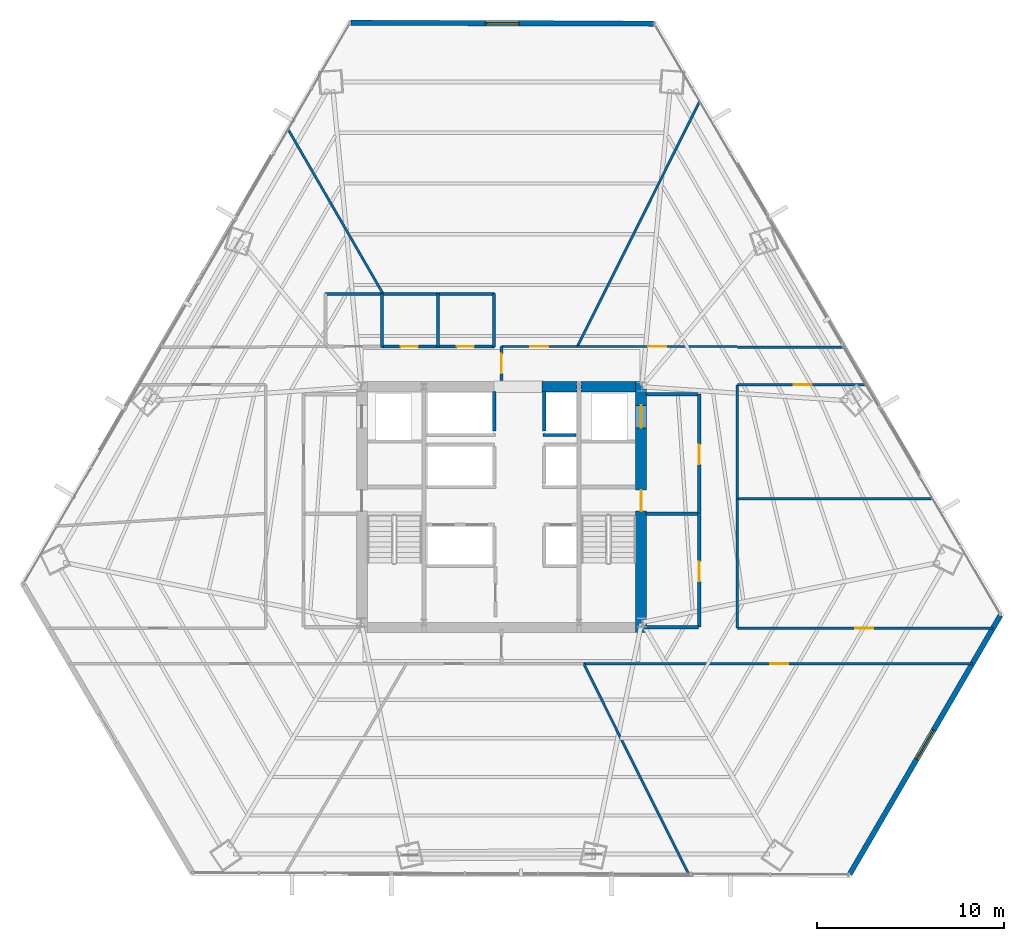
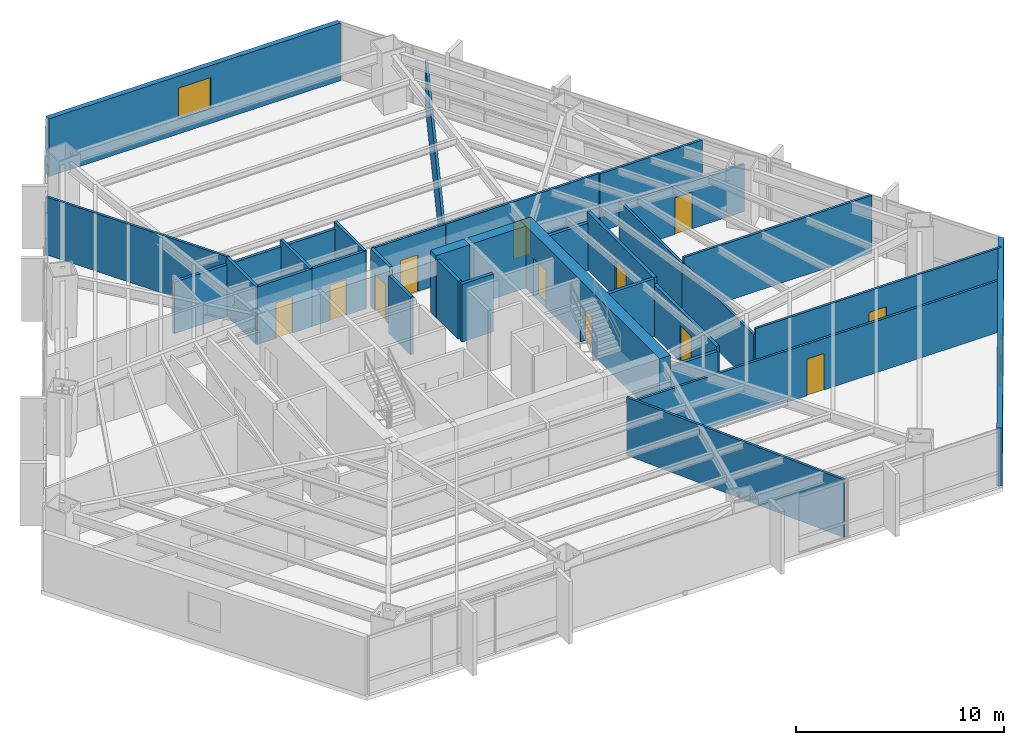
# One storey, part 29 of 33: 34 walls, 12 doors, 2 windows, 14 openings.
"""IFC4 building model written with IfcOpenShell, lengths in metres."""

from ifc_helpers import new_model, si_unit, direction, frame, frame_2d, origin, place, context, subcontext, project, spatial, rectangle, extrude, material, layer, layer_set, type_object, element, fill, save


model = new_model("IFC4")

# Units and contexts
model_context = context("Model", 3, precision=1e-05, world=origin(), true_north=direction((0.0, 1.0)))
body_context = subcontext(model_context, "Body", "Model", "MODEL_VIEW")
ifc_project = project(units=[si_unit("LENGTHUNIT", "METRE"), si_unit("AREAUNIT", "SQUARE_METRE"), si_unit("VOLUMEUNIT", "CUBIC_METRE"), si_unit("PLANEANGLEUNIT", "RADIAN"), si_unit("MASSUNIT", "GRAM", prefix="KILO")], contexts=[model_context])

# Site, building, storey
site_placement = place(None, origin())
site = spatial("IfcSite", under=ifc_project, at=site_placement, CompositionType="ELEMENT")
building_placement = place(site_placement, origin())
building = spatial("IfcBuilding", under=site, at=building_placement, Name="Caelisora Broadcast Tower", CompositionType="ELEMENT")
storey_placement = place(building_placement, frame((0.0, 0.0, 34.89990234375)))
storey = spatial("IfcBuildingStorey", under=building, at=storey_placement, Name="L08", CompositionType="ELEMENT", Elevation=34.89990234375)

# Wall, openings, doors
ifc_material_1 = material(Name="Concrete 65 MPa (AS 3600 S65)", Category="concrete")
ifc_layer_1 = layer(ifc_material_1, 0.60009765625, Name="Concrete 65 MPa (AS 3600 S65)")
ifc_layer_set_1 = layer_set([ifc_layer_1], Name="Concrete 65 MPa (AS 3600 S65)")
wall_type_1 = type_object("IfcWallType", Name="CW1", PredefinedType="SHEAR", material=ifc_layer_set_1)
wall_1_placement = place(storey_placement, frame((45.4599609375, 16.85009765625, 0.0), z_axis=(0.0, 0.0, 1.0), x_axis=(0.0, 1.0, 0.0)))
wall_1 = element("IfcWall", 1, at=wall_1_placement, inside=storey, type_object=wall_type_1, Name="L08 core shear wall CW1", PredefinedType="SHEAR", context=body_context, shape_type="SweptSolid", body=[
    extrude(rectangle(XDim=13.4248046875, YDim=0.60009765625, at=frame_2d((6.71240234375, 0.0))), origin(), (0.0, 0.0, 1.0), 3.650146484375),
])
opening_1_placement = place(wall_1_placement, frame((6.5, 0.0, 0.0)))
opening_1 = element("IfcOpeningElement", 2, at=opening_1_placement, cuts=wall_1, Name="Opening FD04", PredefinedType="OPENING", context=body_context, shape_type="SweptSolid", body=[
    extrude(rectangle(XDim=1.1201171875, YDim=2.14990234375, at=frame_2d((0.56005859375, 1.074951171875))), frame((0.0, 0.31201171875, 0.0), z_axis=(0.0, -1.0, 0.0), x_axis=(1.0, 0.0, 0.0)), (0.0, 0.0, 1.0), 0.6240234375),
])
opening_2_placement = place(wall_1_placement, frame((10.949951171875, 0.0, 0.0)))
opening_2 = element("IfcOpeningElement", 3, at=opening_2_placement, cuts=wall_1, Name="Opening LD04", PredefinedType="OPENING", context=body_context, shape_type="SweptSolid", body=[
    extrude(rectangle(XDim=1.199951171875, YDim=2.199951171875, at=frame_2d((0.60009765625, 1.10009765625))), frame((0.0, 0.31201171875, 0.0), z_axis=(0.0, -1.0, 0.0), x_axis=(1.0, 0.0, 0.0)), (0.0, 0.0, 1.0), 0.6240234375),
])
ifc_material_2 = material(Name="Pressurised Fire-Isolated Stair Door", Category="steel")
door_type_1 = type_object("IfcDoorType", Name="FD04", OperationType="NOTDEFINED", PredefinedType="DOOR", material=ifc_material_2)
door_1_placement = place(opening_1_placement, origin())
door_1 = element("IfcDoor", 4, at=door_1_placement, inside=storey, type_object=door_type_1, Name="L08 door FD04 (L08-DR-ST2)", OperationType="SINGLE_SWING_RIGHT", OverallHeight=2.14990234375, OverallWidth=1.1201171875, PredefinedType="DOOR", context=body_context, shape_type="SweptSolid", body=[
    extrude(rectangle(XDim=1.1201171875, YDim=2.14990234375, at=frame_2d((0.56005859375, 1.074951171875))), frame((0.0, 0.02490234375, 0.0), z_axis=(0.0, -1.0, 0.0), x_axis=(1.0, 0.0, 0.0)), (0.0, 0.0, 1.0), 0.050048828125),
])
fill(opening_1, door_1)
ifc_material_3 = material(Name="Emergency Firefighting Lift Sliding Landing Door", Category="steel")
door_type_2 = type_object("IfcDoorType", Name="LD04", OperationType="NOTDEFINED", PredefinedType="DOOR", material=ifc_material_3)
door_2_placement = place(opening_2_placement, origin())
door_2 = element("IfcDoor", 5, at=door_2_placement, inside=storey, type_object=door_type_2, Name="L08 door LD04 (L08-LD-FFL2)", OperationType="SLIDING_TO_RIGHT", OverallHeight=2.199951171875, OverallWidth=1.199951171875, PredefinedType="DOOR", context=body_context, shape_type="SweptSolid", body=[
    extrude(rectangle(XDim=1.199951171875, YDim=2.199951171875, at=frame_2d((0.60009765625, 1.10009765625))), frame((0.0, 0.02490234375, 0.0), z_axis=(0.0, -1.0, 0.0), x_axis=(1.0, 0.0, 0.0)), (0.0, 0.0, 1.0), 0.050048828125),
])
fill(opening_2, door_2)

# Walls
ifc_layer_2 = layer(ifc_material_1, 0.550048828125, Name="Concrete 65 MPa (AS 3600 S65)")
ifc_layer_set_2 = layer_set([ifc_layer_2], Name="Concrete 65 MPa (AS 3600 S65)")
wall_type_2 = type_object("IfcWallType", Name="CW4", PredefinedType="SHEAR", material=ifc_layer_set_2)
wall_2_placement = place(storey_placement, frame((40.159912109375, 30.0, 0.0), z_axis=(0.0, 0.0, 1.0), x_axis=(1.0, 0.0, 0.0)))
element("IfcWall", 6, at=wall_2_placement, inside=storey, type_object=wall_type_2, Name="L08 core shear wall CW4", PredefinedType="SHEAR", context=body_context, shape_type="SweptSolid", body=[
    extrude(rectangle(XDim=1.880126953125, YDim=0.550048828125, at=frame_2d((0.93994140625, 0.0))), origin(), (0.0, 0.0, 1.0), 3.650146484375),
])
wall_3_placement = place(storey_placement, frame((42.260009765625, 30.0, 0.0), z_axis=(0.0, 0.0, 1.0), x_axis=(1.0, 0.0, 0.0)))
element("IfcWall", 7, at=wall_3_placement, inside=storey, type_object=wall_type_2, Name="L08 core shear wall CW4", PredefinedType="SHEAR", context=body_context, shape_type="SweptSolid", body=[
    extrude(rectangle(XDim=2.89990234375, YDim=0.550048828125, at=frame_2d((1.449951171875, 0.0))), origin(), (0.0, 0.0, 1.0), 3.650146484375),
])

# Wall, opening, window
ifc_material_4 = material(Name="Insulated Terracotta Spandrel Wall System", Category="masonry")
ifc_layer_3 = layer(ifc_material_4, 0.280029296875, Name="Insulated Terracotta Spandrel Wall System")
ifc_layer_set_3 = layer_set([ifc_layer_3], Name="Insulated Terracotta Spandrel Wall System")
wall_type_3 = type_object("IfcWallType", Name="EW1", PredefinedType="STANDARD", material=ifc_layer_set_3)
wall_4_placement = place(storey_placement, frame((64.6728515625, 17.780029296875, 0.0), z_axis=(0.0, 0.0, 1.0), x_axis=(-0.503218412216, -0.864159261715, 0.0)))
wall_4 = element("IfcWall", 8, at=wall_4_placement, inside=storey, type_object=wall_type_3, Name="L08 exterior envelope wall EW1", PredefinedType="STANDARD", context=body_context, shape_type="SweptSolid", body=[
    extrude(rectangle(XDim=16.00634765625, YDim=0.280029296875, at=frame_2d((8.003173828125, 0.0))), origin(), (0.0, 0.0, 1.0), 3.400146484375),
])
opening_3_placement = place(wall_4_placement, frame((7.10009765625, 0.0, 0.89990234375)))
opening_3 = element("IfcOpeningElement", 9, at=opening_3_placement, cuts=wall_4, Name="Opening W01", PredefinedType="OPENING", context=body_context, shape_type="SweptSolid", body=[
    extrude(rectangle(XDim=1.800048828125, YDim=1.800048828125, at=frame_2d((0.89990234375, 0.89990234375))), frame((0.0, 0.152099609375, 0.0), z_axis=(0.0, -1.0, 0.0), x_axis=(1.0, 0.0, 0.0)), (0.0, 0.0, 1.0), 0.303955078125),
])
ifc_material_5 = material(Name="Double Glazed Terracotta-Framed Vision Window", Category="glass")
window_type = type_object("IfcWindowType", Name="W01", PartitioningType="SINGLE_PANEL", PredefinedType="WINDOW", material=ifc_material_5)
window_1_placement = place(opening_3_placement, origin())
window_1 = element("IfcWindow", 10, at=window_1_placement, inside=storey, type_object=window_type, Name="L08 window W01 (L08-WN-CH0)", OverallHeight=1.800048828125, OverallWidth=1.800048828125, PartitioningType="SINGLE_PANEL", PredefinedType="WINDOW", context=body_context, shape_type="SweptSolid", body=[
    extrude(rectangle(XDim=1.800048828125, YDim=1.800048828125, at=frame_2d((0.89990234375, 0.89990234375))), frame((0.0, 0.030029296875, 0.0), z_axis=(0.0, -1.0, 0.0), x_axis=(1.0, 0.0, 0.0)), (0.0, 0.0, 1.0), 0.06005859375),
])
fill(opening_3, window_1)

wall_5_placement = place(storey_placement, frame((29.943115234375, 49.452880859375, 0.0), z_axis=(0.0, 0.0, 1.0), x_axis=(0.999996193708, -0.002759088494, 0.0)))
wall_5 = element("IfcWall", 11, at=wall_5_placement, inside=storey, type_object=wall_type_3, Name="L08 exterior envelope wall EW1", PredefinedType="STANDARD", context=body_context, shape_type="SweptSolid", body=[
    extrude(rectangle(XDim=16.19287109375, YDim=0.280029296875, at=frame_2d((8.096435546875, 0.0))), origin(), (0.0, 0.0, 1.0), 3.400146484375),
])
opening_4_placement = place(wall_5_placement, frame((7.199951171875, 0.0, 0.89990234375)))
opening_4 = element("IfcOpeningElement", 12, at=opening_4_placement, cuts=wall_5, Name="Opening W01", PredefinedType="OPENING", context=body_context, shape_type="SweptSolid", body=[
    extrude(rectangle(XDim=1.800048828125, YDim=1.800048828125, at=frame_2d((0.89990234375, 0.89990234375))), frame((0.0, 0.152099609375, 0.0), z_axis=(0.0, -1.0, 0.0), x_axis=(1.0, 0.0, 0.0)), (0.0, 0.0, 1.0), 0.303955078125),
])
window_2_placement = place(opening_4_placement, origin())
window_2 = element("IfcWindow", 13, at=window_2_placement, inside=storey, type_object=window_type, Name="L08 window W01 (L08-WN-CH8)", OverallHeight=1.800048828125, OverallWidth=1.800048828125, PartitioningType="SINGLE_PANEL", PredefinedType="WINDOW", context=body_context, shape_type="SweptSolid", body=[
    extrude(rectangle(XDim=1.800048828125, YDim=1.800048828125, at=frame_2d((0.89990234375, 0.89990234375))), frame((0.0, 0.030029296875, 0.0), z_axis=(0.0, -1.0, 0.0), x_axis=(1.0, 0.0, 0.0)), (0.0, 0.0, 1.0), 0.06005859375),
])
fill(opening_4, window_2)

# Walls
ifc_material_6 = material(Name="Fire-Rated Gypsum Shaft and Compartment Wall", Category="gypsum")
ifc_layer_4 = layer(ifc_material_6, 0.179931640625, Name="Fire-Rated Gypsum Shaft and Compartment Wall")
ifc_layer_set_4 = layer_set([ifc_layer_4], Name="Fire-Rated Gypsum Shaft and Compartment Wall")
wall_type_4 = type_object("IfcWallType", Name="PW2", PredefinedType="PARTITIONING", material=ifc_layer_set_4)
wall_6_placement = place(storey_placement, frame((40.219970703125, 27.419921875, 0.0), z_axis=(0.0, 0.0, 1.0), x_axis=(1.0, 0.0, 0.0)))
element("IfcWall", 14, at=wall_6_placement, inside=storey, type_object=wall_type_4, Name="L08 fire compartment wall PW2", PredefinedType="PARTITIONING", context=body_context, shape_type="SweptSolid", body=[
    extrude(rectangle(XDim=1.760009765625, YDim=0.179931640625, at=frame_2d((0.8798828125, 0.0))), origin(), (0.0, 0.0, 1.0), 3.400146484375),
])
for number, where, z_axis, x_axis, name in (
    (15, (37.6201171875, 27.639892578125, 0.0), (0.0, 0.0, 1.0), (0.0, 1.0, 0.0), "L08 fire compartment wall PW2"),
    (16, (40.280029296875, 27.639892578125, 0.0), (0.0, 0.0, 1.0), (0.0, 1.0, 0.0), "L08 fire compartment wall PW2"),
):
    element("IfcWall", number, at=place(storey_placement, frame(where, z_axis=z_axis, x_axis=x_axis)), inside=storey, type_object=wall_type_4, Name=name, PredefinedType="PARTITIONING", context=body_context, shape_type="SweptSolid", body=[
        extrude(rectangle(XDim=2.110107421875, YDim=0.179931640625, at=frame_2d((1.05517578125, 0.0))), origin(), (0.0, 0.0, 1.0), 3.400146484375),
    ])

# Wall, opening, door
wall_7_placement = place(storey_placement, frame((48.580078125, 23.199951171875, 0.0), z_axis=(0.0, 0.0, 1.0), x_axis=(0.0, 1.0, 0.0)))
wall_7 = element("IfcWall", 17, at=wall_7_placement, inside=storey, type_object=wall_type_4, Name="L08 fire compartment wall PW2", PredefinedType="PARTITIONING", context=body_context, shape_type="SweptSolid", body=[
    extrude(rectangle(XDim=6.400146484375, YDim=0.179931640625, at=frame_2d((3.2001953125, 0.0))), origin(), (0.0, 0.0, 1.0), 3.400146484375),
])
opening_5_placement = place(wall_7_placement, frame((2.64990234375, 0.0, 0.0)))
opening_5 = element("IfcOpeningElement", 18, at=opening_5_placement, cuts=wall_7, Name="Opening FD02", PredefinedType="OPENING", context=body_context, shape_type="SweptSolid", body=[
    extrude(rectangle(XDim=1.050048828125, YDim=2.14990234375, at=frame_2d((0.52490234375, 1.074951171875))), frame((0.0, 0.10205078125, 0.0), z_axis=(0.0, -1.0, 0.0), x_axis=(1.0, 0.0, 0.0)), (0.0, 0.0, 1.0), 0.203857421875),
])
ifc_material_7 = material(Name="Single-Leaf Steel Fire Lobby Door", Category="steel")
door_type_3 = type_object("IfcDoorType", Name="FD02", OperationType="NOTDEFINED", PredefinedType="DOOR", material=ifc_material_7)
door_3_placement = place(opening_5_placement, origin())
door_3 = element("IfcDoor", 19, at=door_3_placement, inside=storey, type_object=door_type_3, Name="L08 door FD02 (L08-DR-P04D1)", OperationType="SINGLE_SWING_RIGHT", OverallHeight=2.14990234375, OverallWidth=1.050048828125, PredefinedType="DOOR", context=body_context, shape_type="SweptSolid", body=[
    extrude(rectangle(XDim=1.050048828125, YDim=2.14990234375, at=frame_2d((0.52490234375, 1.074951171875))), frame((0.0, 0.02490234375, 0.0), z_axis=(0.0, -1.0, 0.0), x_axis=(1.0, 0.0, 0.0)), (0.0, 0.0, 1.0), 0.050048828125),
])
fill(opening_5, door_3)

# Walls
wall_8_placement = place(storey_placement, frame((45.719970703125, 23.199951171875, 0.0), z_axis=(0.0, 0.0, 1.0), x_axis=(1.0, 0.0, 0.0)))
element("IfcWall", 20, at=wall_8_placement, inside=storey, type_object=wall_type_4, Name="L08 fire compartment wall PW2", PredefinedType="PARTITIONING", context=body_context, shape_type="SweptSolid", body=[
    extrude(rectangle(XDim=2.760009765625, YDim=0.179931640625, at=frame_2d((1.3798828125, 0.0))), origin(), (0.0, 0.0, 1.0), 3.400146484375),
])
wall_9_placement = place(storey_placement, frame((45.719970703125, 29.60009765625, 0.0), z_axis=(0.0, 0.0, 1.0), x_axis=(1.0, 0.0, 0.0)))
element("IfcWall", 21, at=wall_9_placement, inside=storey, type_object=wall_type_4, Name="L08 fire compartment wall PW2", PredefinedType="PARTITIONING", context=body_context, shape_type="SweptSolid", body=[
    extrude(rectangle(XDim=2.760009765625, YDim=0.179931640625, at=frame_2d((1.3798828125, 0.0))), origin(), (0.0, 0.0, 1.0), 2.782958984375),
])

# Wall, opening, door
wall_10_placement = place(storey_placement, frame((48.580078125, 17.14990234375, 0.0), z_axis=(0.0, 0.0, 1.0), x_axis=(0.0, 1.0, 0.0)))
wall_10 = element("IfcWall", 22, at=wall_10_placement, inside=storey, type_object=wall_type_4, Name="L08 fire compartment wall PW2", PredefinedType="PARTITIONING", context=body_context, shape_type="SweptSolid", body=[
    extrude(rectangle(XDim=6.030029296875, YDim=0.179931640625, at=frame_2d((3.01513671875, 0.0))), origin(), (0.0, 0.0, 1.0), 3.026611328125),
])
opening_6_placement = place(wall_10_placement, frame((2.449951171875, 0.0, 0.0)))
opening_6 = element("IfcOpeningElement", 23, at=opening_6_placement, cuts=wall_10, Name="Opening FD02", PredefinedType="OPENING", context=body_context, shape_type="SweptSolid", body=[
    extrude(rectangle(XDim=1.050048828125, YDim=2.14990234375, at=frame_2d((0.52490234375, 1.074951171875))), frame((0.0, 0.10205078125, 0.0), z_axis=(0.0, -1.0, 0.0), x_axis=(1.0, 0.0, 0.0)), (0.0, 0.0, 1.0), 0.203857421875),
])
door_4_placement = place(opening_6_placement, origin())
door_4 = element("IfcDoor", 24, at=door_4_placement, inside=storey, type_object=door_type_3, Name="L08 door FD02 (L08-DR-P14D1)", OperationType="SINGLE_SWING_LEFT", OverallHeight=2.14990234375, OverallWidth=1.050048828125, PredefinedType="DOOR", context=body_context, shape_type="SweptSolid", body=[
    extrude(rectangle(XDim=1.050048828125, YDim=2.14990234375, at=frame_2d((0.52490234375, 1.074951171875))), frame((0.0, 0.02490234375, 0.0), z_axis=(0.0, -1.0, 0.0), x_axis=(1.0, 0.0, 0.0)), (0.0, 0.0, 1.0), 0.050048828125),
])
fill(opening_6, door_4)

# Wall
wall_11_placement = place(storey_placement, frame((45.6201171875, 17.14990234375, 0.0), z_axis=(0.0, 0.0, 1.0), x_axis=(1.0, 0.0, 0.0)))
element("IfcWall", 25, at=wall_11_placement, inside=storey, type_object=wall_type_4, Name="L08 fire compartment wall PW2", PredefinedType="PARTITIONING", context=body_context, shape_type="SweptSolid", body=[
    extrude(rectangle(XDim=2.89990234375, YDim=0.179931640625, at=frame_2d((1.449951171875, 0.0))), origin(), (0.0, 0.0, 1.0), 2.782958984375),
])

# Wall, opening, door
wall_12_placement = place(storey_placement, frame((38.0, 30.320068359375, 0.0), z_axis=(0.0, 0.0, 1.0), x_axis=(0.0, 1.0, 0.0)))
wall_12 = element("IfcWall", 26, at=wall_12_placement, inside=storey, type_object=wall_type_4, Name="L08 fire compartment wall PW2", PredefinedType="PARTITIONING", context=body_context, shape_type="SweptSolid", body=[
    extrude(rectangle(XDim=1.824951171875, YDim=0.179931640625, at=frame_2d((0.91259765625, 0.0))), origin(), (0.0, 0.0, 1.0), 3.400146484375),
])
opening_7_placement = place(wall_12_placement, frame((0.387939453125, 0.0, 0.0)))
opening_7 = element("IfcOpeningElement", 27, at=opening_7_placement, cuts=wall_12, Name="Opening FD02", PredefinedType="OPENING", context=body_context, shape_type="SweptSolid", body=[
    extrude(rectangle(XDim=1.050048828125, YDim=2.14990234375, at=frame_2d((0.52490234375, 1.074951171875))), frame((0.0, 0.10205078125, 0.0), z_axis=(0.0, -1.0, 0.0), x_axis=(1.0, 0.0, 0.0)), (0.0, 0.0, 1.0), 0.203857421875),
])
door_5_placement = place(opening_7_placement, origin())
door_5 = element("IfcDoor", 28, at=door_5_placement, inside=storey, type_object=door_type_3, Name="L08 door FD02 (L08-DR-P50D1)", OperationType="SINGLE_SWING_RIGHT", OverallHeight=2.14990234375, OverallWidth=1.050048828125, PredefinedType="DOOR", context=body_context, shape_type="SweptSolid", body=[
    extrude(rectangle(XDim=1.050048828125, YDim=2.14990234375, at=frame_2d((0.52490234375, 1.074951171875))), frame((0.0, 0.02490234375, 0.0), z_axis=(0.0, -1.0, 0.0), x_axis=(1.0, 0.0, 0.0)), (0.0, 0.0, 1.0), 0.050048828125),
])
fill(opening_7, door_5)

ifc_material_8 = material(Name="Acoustic Steel-Stud Plasterboard Partition", Category="gypsum")
ifc_layer_5 = layer(ifc_material_8, 0.1298828125, Name="Acoustic Steel-Stud Plasterboard Partition")
ifc_layer_set_5 = layer_set([ifc_layer_5], Name="Acoustic Steel-Stud Plasterboard Partition")
wall_type_5 = type_object("IfcWallType", Name="PW3", PredefinedType="PARTITIONING", material=ifc_layer_set_5)
wall_13_placement = place(storey_placement, frame((42.39501953125, 15.199951171875, 0.0), z_axis=(0.0, 0.0, 1.0), x_axis=(1.0, 0.0, 0.0)))
wall_13 = element("IfcWall", 29, at=wall_13_placement, inside=storey, type_object=wall_type_5, Name="L08 internal partition PW3", PredefinedType="PARTITIONING", context=body_context, shape_type="SweptSolid", body=[
    extrude(rectangle(XDim=20.781494140625, YDim=0.1298828125, at=frame_2d((10.390625, 0.0))), origin(), (0.0, 0.0, 1.0), 3.026611328125),
])
opening_8_placement = place(wall_13_placement, frame((9.967041015625, 0.0, 0.0)))
opening_8 = element("IfcOpeningElement", 30, at=opening_8_placement, cuts=wall_13, Name="Opening D01", PredefinedType="OPENING", context=body_context, shape_type="SweptSolid", body=[
    extrude(rectangle(XDim=0.9599609375, YDim=2.14990234375, at=frame_2d((0.47998046875, 1.074951171875))), frame((0.0, 0.076904296875, 0.0), z_axis=(0.0, -1.0, 0.0), x_axis=(1.0, 0.0, 0.0)), (0.0, 0.0, 1.0), 0.15380859375),
])
ifc_material_9 = material(Name="Solid-Core Timber Acoustic Office Door", Category="wood")
door_type_4 = type_object("IfcDoorType", Name="D01", OperationType="NOTDEFINED", PredefinedType="DOOR", material=ifc_material_9)
door_6_placement = place(opening_8_placement, origin())
door_6 = element("IfcDoor", 31, at=door_6_placement, inside=storey, type_object=door_type_4, Name="L08 door D01 (L08-DR-P26D1)", OperationType="SINGLE_SWING_LEFT", OverallHeight=2.14990234375, OverallWidth=0.9599609375, PredefinedType="DOOR", context=body_context, shape_type="SweptSolid", body=[
    extrude(rectangle(XDim=0.9599609375, YDim=2.14990234375, at=frame_2d((0.47998046875, 1.074951171875))), frame((0.0, 0.02490234375, 0.0), z_axis=(0.0, -1.0, 0.0), x_axis=(1.0, 0.0, 0.0)), (0.0, 0.0, 1.0), 0.050048828125),
])
fill(opening_8, door_6)

# Wall
wall_14_placement = place(storey_placement, frame((42.06201171875, 32.154052734375, 0.0), z_axis=(0.0, 0.0, 1.0), x_axis=(0.446393450223, 0.894836793833, 0.0)))
element("IfcWall", 32, at=wall_14_placement, inside=storey, type_object=wall_type_5, Name="L08 internal partition PW3", PredefinedType="PARTITIONING", context=body_context, shape_type="SweptSolid", body=[
    extrude(rectangle(XDim=14.649169921875, YDim=0.1298828125, at=frame_2d((7.32470703125, 0.0))), origin(), (0.0, 0.0, 1.0), 2.782958984375),
])

# Wall, opening, door
wall_15_placement = place(storey_placement, frame((64.282958984375, 17.10009765625, 0.0), z_axis=(0.0, 0.0, 1.0), x_axis=(-1.0, 0.0, 0.0)))
wall_15 = element("IfcWall", 33, at=wall_15_placement, inside=storey, type_object=wall_type_5, Name="L08 internal partition PW3", PredefinedType="PARTITIONING", context=body_context, shape_type="SweptSolid", body=[
    extrude(rectangle(XDim=13.677978515625, YDim=0.1298828125, at=frame_2d((6.8388671875, 0.0))), origin(), (0.0, 0.0, 1.0), 3.400146484375),
])
opening_9_placement = place(wall_15_placement, frame((6.4130859375, 0.0, 0.0)))
opening_9 = element("IfcOpeningElement", 34, at=opening_9_placement, cuts=wall_15, Name="Opening D01", PredefinedType="OPENING", context=body_context, shape_type="SweptSolid", body=[
    extrude(rectangle(XDim=0.9599609375, YDim=2.14990234375, at=frame_2d((0.47998046875, 1.074951171875))), frame((0.0, 0.076904296875, 0.0), z_axis=(0.0, -1.0, 0.0), x_axis=(1.0, 0.0, 0.0)), (0.0, 0.0, 1.0), 0.15380859375),
])
door_7_placement = place(opening_9_placement, origin())
door_7 = element("IfcDoor", 35, at=door_7_placement, inside=storey, type_object=door_type_4, Name="L08 door D01 (L08-DR-P29D1)", OperationType="SINGLE_SWING_LEFT", OverallHeight=2.14990234375, OverallWidth=0.9599609375, PredefinedType="DOOR", context=body_context, shape_type="SweptSolid", body=[
    extrude(rectangle(XDim=0.9599609375, YDim=2.14990234375, at=frame_2d((0.47998046875, 1.074951171875))), frame((0.0, 0.02490234375, 0.0), z_axis=(0.0, -1.0, 0.0), x_axis=(1.0, 0.0, 0.0)), (0.0, 0.0, 1.0), 0.050048828125),
])
fill(opening_9, door_7)

# Walls
wall_16_placement = place(storey_placement, frame((42.39208984375, 15.196044921875, 0.0), z_axis=(0.0, 0.0, 1.0), x_axis=(0.446258279113, -0.894904211814, 0.0)))
element("IfcWall", 36, at=wall_16_placement, inside=storey, type_object=wall_type_5, Name="L08 internal partition PW3", PredefinedType="PARTITIONING", context=body_context, shape_type="SweptSolid", body=[
    extrude(rectangle(XDim=12.576904296875, YDim=0.1298828125, at=frame_2d((6.28857421875, 0.0))), origin(), (0.0, 0.0, 1.0), 3.400146484375),
])
wall_17_placement = place(storey_placement, frame((50.60498046875, 24.0, 0.0), z_axis=(0.0, 0.0, 1.0), x_axis=(1.0, 0.0, 0.0)))
element("IfcWall", 37, at=wall_17_placement, inside=storey, type_object=wall_type_5, Name="L08 internal partition PW3", PredefinedType="PARTITIONING", context=body_context, shape_type="SweptSolid", body=[
    extrude(rectangle(XDim=10.458740234375, YDim=0.1298828125, at=frame_2d((5.2294921875, 0.0))), origin(), (0.0, 0.0, 1.0), 3.400146484375),
])
wall_18_placement = place(storey_placement, frame((26.591796875, 43.760498046875, 0.0), z_axis=(0.0, 0.0, 1.0), x_axis=(0.500061190887, -0.865990072327, 0.0)))
element("IfcWall", 38, at=wall_18_placement, inside=storey, type_object=wall_type_5, Name="L08 internal partition PW3", PredefinedType="PARTITIONING", context=body_context, shape_type="SweptSolid", body=[
    extrude(rectangle(XDim=10.169189453125, YDim=0.1298828125, at=frame_2d((5.08447265625, 0.0))), origin(), (0.0, 0.0, 1.0), 3.400146484375),
])

# Wall, opening, door
wall_19_placement = place(storey_placement, frame((42.06494140625, 32.14990234375, 0.0), z_axis=(0.0, 0.0, 1.0), x_axis=(1.0, 0.0, 0.0)))
wall_19 = element("IfcWall", 39, at=wall_19_placement, inside=storey, type_object=wall_type_5, Name="L08 internal partition PW3", PredefinedType="PARTITIONING", context=body_context, shape_type="SweptSolid", body=[
    extrude(rectangle(XDim=8.530029296875, YDim=0.1298828125, at=frame_2d((4.26513671875, 0.0))), origin(), (0.0, 0.0, 1.0), 3.400146484375),
])
opening_10_placement = place(wall_19_placement, frame((3.784912109375, 0.0, 0.0)))
opening_10 = element("IfcOpeningElement", 40, at=opening_10_placement, cuts=wall_19, Name="Opening D01", PredefinedType="OPENING", context=body_context, shape_type="SweptSolid", body=[
    extrude(rectangle(XDim=0.9599609375, YDim=2.14990234375, at=frame_2d((0.47998046875, 1.074951171875))), frame((0.0, 0.076904296875, 0.0), z_axis=(0.0, -1.0, 0.0), x_axis=(1.0, 0.0, 0.0)), (0.0, 0.0, 1.0), 0.15380859375),
])
door_8_placement = place(opening_10_placement, origin())
door_8 = element("IfcDoor", 41, at=door_8_placement, inside=storey, type_object=door_type_4, Name="L08 door D01 (L08-DR-P36D1)", OperationType="SINGLE_SWING_LEFT", OverallHeight=2.14990234375, OverallWidth=0.9599609375, PredefinedType="DOOR", context=body_context, shape_type="SweptSolid", body=[
    extrude(rectangle(XDim=0.9599609375, YDim=2.14990234375, at=frame_2d((0.47998046875, 1.074951171875))), frame((0.0, 0.02490234375, 0.0), z_axis=(0.0, -1.0, 0.0), x_axis=(1.0, 0.0, 0.0)), (0.0, 0.0, 1.0), 0.050048828125),
])
fill(opening_10, door_8)

wall_20_placement = place(storey_placement, frame((50.60498046875, 30.10009765625, 0.0), z_axis=(0.0, 0.0, 1.0), x_axis=(1.0, 0.0, 0.0)))
wall_20 = element("IfcWall", 42, at=wall_20_placement, inside=storey, type_object=wall_type_5, Name="L08 internal partition PW3", PredefinedType="PARTITIONING", context=body_context, shape_type="SweptSolid", body=[
    extrude(rectangle(XDim=6.88330078125, YDim=0.1298828125, at=frame_2d((3.441650390625, 0.0))), origin(), (0.0, 0.0, 1.0), 2.782958984375),
])
opening_11_placement = place(wall_20_placement, frame((3.01806640625, 0.0, 0.0)))
opening_11 = element("IfcOpeningElement", 43, at=opening_11_placement, cuts=wall_20, Name="Opening D01", PredefinedType="OPENING", context=body_context, shape_type="SweptSolid", body=[
    extrude(rectangle(XDim=0.9599609375, YDim=2.14990234375, at=frame_2d((0.47998046875, 1.074951171875))), frame((0.0, 0.076904296875, 0.0), z_axis=(0.0, -1.0, 0.0), x_axis=(1.0, 0.0, 0.0)), (0.0, 0.0, 1.0), 0.15380859375),
])
door_9_placement = place(opening_11_placement, origin())
door_9 = element("IfcDoor", 44, at=door_9_placement, inside=storey, type_object=door_type_4, Name="L08 door D01 (L08-DR-P37D1)", OperationType="SINGLE_SWING_RIGHT", OverallHeight=2.14990234375, OverallWidth=0.9599609375, PredefinedType="DOOR", context=body_context, shape_type="SweptSolid", body=[
    extrude(rectangle(XDim=0.9599609375, YDim=2.14990234375, at=frame_2d((0.47998046875, 1.074951171875))), frame((0.0, 0.02490234375, 0.0), z_axis=(0.0, -1.0, 0.0), x_axis=(1.0, 0.0, 0.0)), (0.0, 0.0, 1.0), 0.050048828125),
])
fill(opening_11, door_9)

# Walls
wall_21_placement = place(storey_placement, frame((50.60009765625, 17.10498046875, 0.0), z_axis=(0.0, 0.0, 1.0), x_axis=(0.0, 1.0, 0.0)))
element("IfcWall", 45, at=wall_21_placement, inside=storey, type_object=wall_type_5, Name="L08 internal partition PW3", PredefinedType="PARTITIONING", context=body_context, shape_type="SweptSolid", body=[
    extrude(rectangle(XDim=6.89013671875, YDim=0.1298828125, at=frame_2d((3.445068359375, 0.0))), origin(), (0.0, 0.0, 1.0), 3.026611328125),
])
wall_22_placement = place(storey_placement, frame((50.60009765625, 24.0048828125, 0.0), z_axis=(0.0, 0.0, 1.0), x_axis=(0.0, 1.0, 0.0)))
element("IfcWall", 46, at=wall_22_placement, inside=storey, type_object=wall_type_5, Name="L08 internal partition PW3", PredefinedType="PARTITIONING", context=body_context, shape_type="SweptSolid", body=[
    extrude(rectangle(XDim=6.090087890625, YDim=0.1298828125, at=frame_2d((3.044921875, 0.0))), origin(), (0.0, 0.0, 1.0), 3.026611328125),
])
wall_23_placement = place(storey_placement, frame((50.60498046875, 32.10009765625, 0.0), z_axis=(0.0, 0.0, 1.0), x_axis=(1.0, 0.0, 0.0)))
element("IfcWall", 47, at=wall_23_placement, inside=storey, type_object=wall_type_5, Name="L08 internal partition PW3", PredefinedType="PARTITIONING", context=body_context, shape_type="SweptSolid", body=[
    extrude(rectangle(XDim=5.711181640625, YDim=0.1298828125, at=frame_2d((2.85546875, 0.0))), origin(), (0.0, 0.0, 1.0), 3.400146484375),
])

# Wall, opening, door
wall_24_placement = place(storey_placement, frame((38.0048828125, 32.14990234375, 0.0), z_axis=(0.0, 0.0, 1.0), x_axis=(1.0, 0.0, 0.0)))
wall_24 = element("IfcWall", 48, at=wall_24_placement, inside=storey, type_object=wall_type_5, Name="L08 internal partition PW3", PredefinedType="PARTITIONING", context=body_context, shape_type="SweptSolid", body=[
    extrude(rectangle(XDim=4.050048828125, YDim=0.1298828125, at=frame_2d((2.02490234375, 0.0))), origin(), (0.0, 0.0, 1.0), 3.400146484375),
])
opening_12_placement = place(wall_24_placement, frame((1.544921875, 0.0, 0.0)))
opening_12 = element("IfcOpeningElement", 49, at=opening_12_placement, cuts=wall_24, Name="Opening D01", PredefinedType="OPENING", context=body_context, shape_type="SweptSolid", body=[
    extrude(rectangle(XDim=0.9599609375, YDim=2.14990234375, at=frame_2d((0.47998046875, 1.074951171875))), frame((0.0, 0.076904296875, 0.0), z_axis=(0.0, -1.0, 0.0), x_axis=(1.0, 0.0, 0.0)), (0.0, 0.0, 1.0), 0.15380859375),
])
door_10_placement = place(opening_12_placement, origin())
door_10 = element("IfcDoor", 50, at=door_10_placement, inside=storey, type_object=door_type_4, Name="L08 door D01 (L08-DR-P47D1)", OperationType="SINGLE_SWING_RIGHT", OverallHeight=2.14990234375, OverallWidth=0.9599609375, PredefinedType="DOOR", context=body_context, shape_type="SweptSolid", body=[
    extrude(rectangle(XDim=0.9599609375, YDim=2.14990234375, at=frame_2d((0.47998046875, 1.074951171875))), frame((0.0, 0.02490234375, 0.0), z_axis=(0.0, -1.0, 0.0), x_axis=(1.0, 0.0, 0.0)), (0.0, 0.0, 1.0), 0.050048828125),
])
fill(opening_12, door_10)

ifc_material_10 = material(Name="Moisture-Resistant Wet Plumbing Service Wall", Category="gypsum")
ifc_layer_6 = layer(ifc_material_10, 0.159912109375, Name="Moisture-Resistant Wet Plumbing Service Wall")
ifc_layer_set_6 = layer_set([ifc_layer_6], Name="Moisture-Resistant Wet Plumbing Service Wall")
wall_type_6 = type_object("IfcWallType", Name="PW4", PredefinedType="PLUMBINGWALL", material=ifc_layer_set_6)
wall_25_placement = place(storey_placement, frame((31.574951171875, 32.14990234375, 0.0), z_axis=(0.0, 0.0, 1.0), x_axis=(1.0, 0.0, 0.0)))
wall_25 = element("IfcWall", 51, at=wall_25_placement, inside=storey, type_object=wall_type_6, Name="L08 wet plumbing wall PW4", PredefinedType="PLUMBINGWALL", context=body_context, shape_type="SweptSolid", body=[
    extrude(rectangle(XDim=3.050048828125, YDim=0.159912109375, at=frame_2d((1.52490234375, 0.0))), origin(), (0.0, 0.0, 1.0), 3.400146484375),
])
opening_13_placement = place(wall_25_placement, frame((1.034912109375, 0.0, 0.0)))
opening_13 = element("IfcOpeningElement", 52, at=opening_13_placement, cuts=wall_25, Name="Opening D03", PredefinedType="OPENING", context=body_context, shape_type="SweptSolid", body=[
    extrude(rectangle(XDim=0.919921875, YDim=2.10009765625, at=frame_2d((0.4599609375, 1.050048828125))), frame((0.0, 0.092041015625, 0.0), z_axis=(0.0, -1.0, 0.0), x_axis=(1.0, 0.0, 0.0)), (0.0, 0.0, 1.0), 0.183837890625),
])
ifc_material_11 = material(Name="Laminate Moisture-Resistant Amenity WC Door", Category="wood")
door_type_5 = type_object("IfcDoorType", Name="D03", OperationType="NOTDEFINED", PredefinedType="DOOR", material=ifc_material_11)
door_11_placement = place(opening_13_placement, origin())
door_11 = element("IfcDoor", 53, at=door_11_placement, inside=storey, type_object=door_type_5, Name="L08 door D03 (L08-DR-P17D1)", OperationType="SINGLE_SWING_LEFT", OverallHeight=2.10009765625, OverallWidth=0.919921875, PredefinedType="DOOR", context=body_context, shape_type="SweptSolid", body=[
    extrude(rectangle(XDim=0.919921875, YDim=2.10009765625, at=frame_2d((0.4599609375, 1.050048828125))), frame((0.0, 0.02490234375, 0.0), z_axis=(0.0, -1.0, 0.0), x_axis=(1.0, 0.0, 0.0)), (0.0, 0.0, 1.0), 0.050048828125),
])
fill(opening_13, door_11)

wall_26_placement = place(storey_placement, frame((34.574951171875, 32.14990234375, 0.0), z_axis=(0.0, 0.0, 1.0), x_axis=(1.0, 0.0, 0.0)))
wall_26 = element("IfcWall", 54, at=wall_26_placement, inside=storey, type_object=wall_type_6, Name="L08 wet plumbing wall PW4", PredefinedType="PLUMBINGWALL", context=body_context, shape_type="SweptSolid", body=[
    extrude(rectangle(XDim=3.050048828125, YDim=0.159912109375, at=frame_2d((1.52490234375, 0.0))), origin(), (0.0, 0.0, 1.0), 3.400146484375),
])
opening_14_placement = place(wall_26_placement, frame((1.034912109375, 0.0, 0.0)))
opening_14 = element("IfcOpeningElement", 55, at=opening_14_placement, cuts=wall_26, Name="Opening D03", PredefinedType="OPENING", context=body_context, shape_type="SweptSolid", body=[
    extrude(rectangle(XDim=0.919921875, YDim=2.10009765625, at=frame_2d((0.4599609375, 1.050048828125))), frame((0.0, 0.092041015625, 0.0), z_axis=(0.0, -1.0, 0.0), x_axis=(1.0, 0.0, 0.0)), (0.0, 0.0, 1.0), 0.183837890625),
])
door_12_placement = place(opening_14_placement, origin())
door_12 = element("IfcDoor", 56, at=door_12_placement, inside=storey, type_object=door_type_5, Name="L08 door D03 (L08-DR-P18D1)", OperationType="SINGLE_SWING_RIGHT", OverallHeight=2.10009765625, OverallWidth=0.919921875, PredefinedType="DOOR", context=body_context, shape_type="SweptSolid", body=[
    extrude(rectangle(XDim=0.919921875, YDim=2.10009765625, at=frame_2d((0.4599609375, 1.050048828125))), frame((0.0, 0.02490234375, 0.0), z_axis=(0.0, -1.0, 0.0), x_axis=(1.0, 0.0, 0.0)), (0.0, 0.0, 1.0), 0.050048828125),
])
fill(opening_14, door_12)

# Walls
for number, where, z_axis, x_axis, name in (
    (57, (28.574951171875, 34.949951171875, 0.0), (0.0, 0.0, 1.0), (1.0, 0.0, 0.0), "L08 wet plumbing wall PW4"),
    (58, (37.625, 34.949951171875, 0.0), (0.0, 0.0, 1.0), (-1.0, 0.0, 0.0), "L08 wet plumbing wall PW4"),
):
    element("IfcWall", number, at=place(storey_placement, frame(where, z_axis=z_axis, x_axis=x_axis)), inside=storey, type_object=wall_type_6, Name=name, PredefinedType="PLUMBINGWALL", context=body_context, shape_type="SweptSolid", body=[
        extrude(rectangle(XDim=3.050048828125, YDim=0.159912109375, at=frame_2d((1.52490234375, 0.0))), origin(), (0.0, 0.0, 1.0), 3.026611328125),
    ])
wall_27_placement = place(storey_placement, frame((31.655029296875, 34.949951171875, 0.0), z_axis=(0.0, 0.0, 1.0), x_axis=(1.0, 0.0, 0.0)))
element("IfcWall", 59, at=wall_27_placement, inside=storey, type_object=wall_type_6, Name="L08 wet plumbing wall PW4", PredefinedType="PLUMBINGWALL", context=body_context, shape_type="SweptSolid", body=[
    extrude(rectangle(XDim=2.969970703125, YDim=0.159912109375, at=frame_2d((1.48486328125, 0.0))), origin(), (0.0, 0.0, 1.0), 3.026611328125),
])
for number, where, z_axis, x_axis, name in (
    (60, (31.60009765625, 32.125, 0.0), (0.0, 0.0, 1.0), (0.0, 1.0, 0.0), "L08 wet plumbing wall PW4"),
    (61, (34.60009765625, 32.125, 0.0), (0.0, 0.0, 1.0), (0.0, 1.0, 0.0), "L08 wet plumbing wall PW4"),
    (62, (37.60009765625, 32.125, 0.0), (0.0, 0.0, 1.0), (0.0, 1.0, 0.0), "L08 wet plumbing wall PW4"),
):
    element("IfcWall", number, at=place(storey_placement, frame(where, z_axis=z_axis, x_axis=x_axis)), inside=storey, type_object=wall_type_6, Name=name, PredefinedType="PLUMBINGWALL", context=body_context, shape_type="SweptSolid", body=[
        extrude(rectangle(XDim=2.85009765625, YDim=0.159912109375, at=frame_2d((1.425048828125, 0.0))), origin(), (0.0, 0.0, 1.0), 3.400146484375),
    ])

save(model, "model.ifc")
